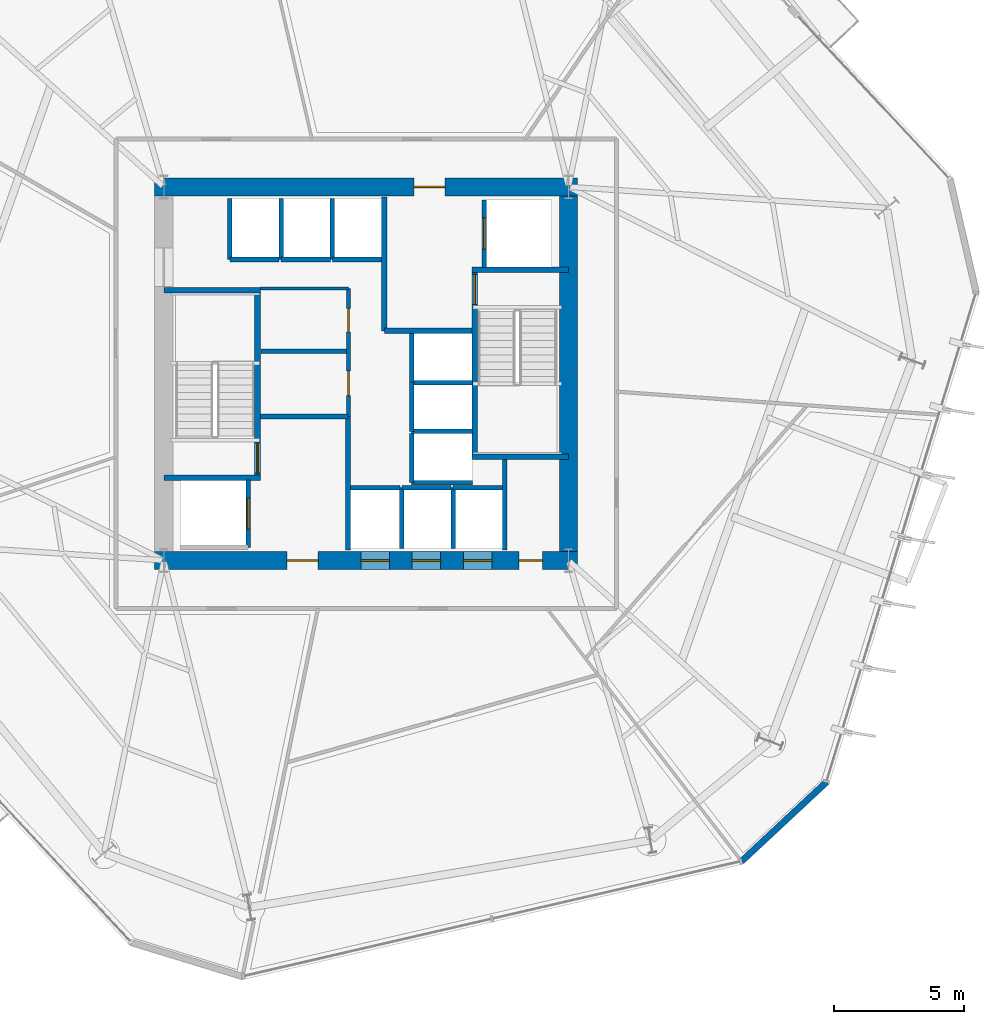
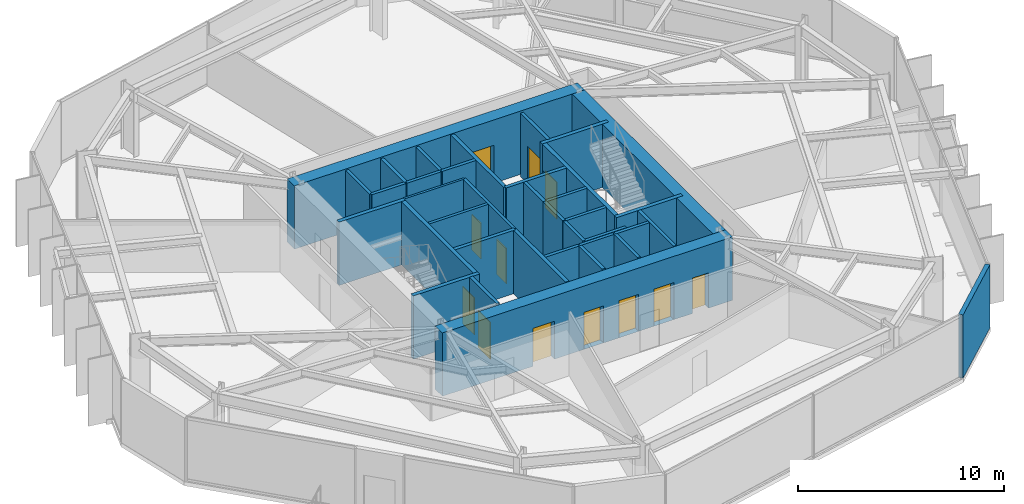
# One storey, part 6 of 10: 37 walls, 12 doors, 12 openings.
"""IFC4 building model written with IfcOpenShell, lengths in metres."""

from ifc_helpers import new_model, si_unit, direction, frame, frame_2d, origin, place, context, subcontext, project, spatial, rectangle, extrude, material, layer, layer_set, type_object, element, fill, save


model = new_model("IFC4")

# Units and contexts
model_context = context("Model", 3, precision=1e-05, world=origin(), true_north=direction((0.0, 1.0)))
body_context = subcontext(model_context, "Body", "Model", "MODEL_VIEW")
ifc_project = project(units=[si_unit("LENGTHUNIT", "METRE"), si_unit("AREAUNIT", "SQUARE_METRE"), si_unit("VOLUMEUNIT", "CUBIC_METRE"), si_unit("PLANEANGLEUNIT", "RADIAN"), si_unit("MASSUNIT", "GRAM", prefix="KILO")], contexts=[model_context])

# Site, building, storey
site_placement = place(None, origin())
site = spatial("IfcSite", under=ifc_project, at=site_placement, CompositionType="ELEMENT")
building_placement = place(site_placement, origin())
building = spatial("IfcBuilding", under=site, at=building_placement, Name="Kranzbogen Civic Tower", CompositionType="ELEMENT")
storey_placement = place(building_placement, frame((0.0, 0.0, 72.0)))
storey = spatial("IfcBuildingStorey", under=building, at=storey_placement, Name="L17", CompositionType="ELEMENT", Elevation=72.0)

# Wall
ifc_material_1 = material(Name="Insulated Metal-Stud Gypsum Partition")
ifc_layer_1 = layer(ifc_material_1, 0.125, Name="Insulated Metal-Stud Gypsum Partition")
ifc_layer_set_1 = layer_set([ifc_layer_1], Name="Insulated Metal-Stud Gypsum Partition")
wall_type_1 = type_object("IfcWallType", Name="Acoustic Inter-Room Partition 125 mm", PredefinedType="PARTITIONING", material=ifc_layer_set_1)
wall_1_placement = place(storey_placement, frame((20.919921875, 28.280029296875, 0.0), z_axis=(0.0, 0.0, 1.0), x_axis=(1.0, 0.0, 0.0)))
element("IfcWall", 1, at=wall_1_placement, inside=storey, type_object=wall_type_1, Name="L17 core auxiliary North wall", PredefinedType="PARTITIONING", context=body_context, shape_type="SweptSolid", body=[
    extrude(rectangle(XDim=3.405029296875, YDim=0.125, at=frame_2d((1.70263671875, 0.0))), origin(), (0.0, 0.0, 1.0), 3.760009765625),
])

# Wall, openings, doors
ifc_material_2 = material(Name="Concrete C55/67", Category="concrete")
ifc_layer_2 = layer(ifc_material_2, 0.699951171875, Name="Concrete C55/67")
ifc_layer_set_2 = layer_set([ifc_layer_2], Name="Concrete C55/67")
wall_type_2 = type_object("IfcWallType", Name="Central Core Shear Wall 700 mm", PredefinedType="SHEAR", material=ifc_layer_set_2)
wall_2_placement = place(storey_placement, frame((16.85009765625, 17.800048828125, 0.0), z_axis=(0.0, 0.0, 1.0), x_axis=(1.0, 0.0, 0.0)))
wall_2 = element("IfcWall", 2, at=wall_2_placement, inside=storey, type_object=wall_type_2, Name="L17 central core South shear wall", PredefinedType="SHEAR", context=body_context, shape_type="SweptSolid", body=[
    extrude(rectangle(XDim=16.2998046875, YDim=0.699951171875, at=frame_2d((8.14990234375, 0.0))), origin(), (0.0, 0.0, 1.0), 3.760009765625),
])
opening_1_placement = place(wall_2_placement, frame((5.10009765625, 0.0, 0.0)))
opening_1 = element("IfcOpeningElement", 3, at=opening_1_placement, cuts=wall_2, Name="Opening D-EX120", PredefinedType="OPENING", context=body_context, shape_type="SweptSolid", body=[
    extrude(rectangle(XDim=1.199951171875, YDim=2.25, at=frame_2d((0.60009765625, 1.125))), frame((0.0, 0.35986328125, 0.0), z_axis=(0.0, -1.0, 0.0), x_axis=(1.0, 0.0, 0.0)), (0.0, 0.0, 1.0), 0.719970703125),
])
opening_2_placement = place(wall_2_placement, frame((14.050048828125, 0.0, 0.0)))
opening_2 = element("IfcOpeningElement", 4, at=opening_2_placement, cuts=wall_2, Name="Opening D-WC90", PredefinedType="OPENING", context=body_context, shape_type="SweptSolid", body=[
    extrude(rectangle(XDim=0.89990234375, YDim=2.10009765625, at=frame_2d((0.449951171875, 1.050048828125))), frame((0.0, 0.35986328125, 0.0), z_axis=(0.0, -1.0, 0.0), x_axis=(1.0, 0.0, 0.0)), (0.0, 0.0, 1.0), 0.719970703125),
])
opening_3_placement = place(wall_2_placement, frame((7.949951171875, 0.0, 0.0)))
opening_3 = element("IfcOpeningElement", 5, at=opening_3_placement, cuts=wall_2, Name="Opening LD-LP-01", PredefinedType="OPENING", context=body_context, shape_type="SweptSolid", body=[
    extrude(rectangle(XDim=1.10009765625, YDim=2.199951171875, at=frame_2d((0.550048828125, 1.10009765625))), frame((0.0, 0.35986328125, 0.0), z_axis=(0.0, -1.0, 0.0), x_axis=(1.0, 0.0, 0.0)), (0.0, 0.0, 1.0), 0.719970703125),
])
opening_4_placement = place(wall_2_placement, frame((9.925048828125, 0.0, 0.0)))
opening_4 = element("IfcOpeningElement", 6, at=opening_4_placement, cuts=wall_2, Name="Opening LD-LP-02", PredefinedType="OPENING", context=body_context, shape_type="SweptSolid", body=[
    extrude(rectangle(XDim=1.10009765625, YDim=2.199951171875, at=frame_2d((0.550048828125, 1.10009765625))), frame((0.0, 0.35986328125, 0.0), z_axis=(0.0, -1.0, 0.0), x_axis=(1.0, 0.0, 0.0)), (0.0, 0.0, 1.0), 0.719970703125),
])
opening_5_placement = place(wall_2_placement, frame((11.89990234375, 0.0, 0.0)))
opening_5 = element("IfcOpeningElement", 7, at=opening_5_placement, cuts=wall_2, Name="Opening LD-LP-03", PredefinedType="OPENING", context=body_context, shape_type="SweptSolid", body=[
    extrude(rectangle(XDim=1.10009765625, YDim=2.199951171875, at=frame_2d((0.550048828125, 1.10009765625))), frame((0.0, 0.35986328125, 0.0), z_axis=(0.0, -1.0, 0.0), x_axis=(1.0, 0.0, 0.0)), (0.0, 0.0, 1.0), 0.719970703125),
])
ifc_material_3 = material(Name="Steel S355", Category="steel")
door_type_1 = type_object("IfcDoorType", Name="Exit Passageway Fire Door 1200x2250", OperationType="NOTDEFINED", PredefinedType="DOOR", material=ifc_material_3)
door_1_placement = place(opening_1_placement, origin())
door_1 = element("IfcDoor", 8, at=door_1_placement, inside=storey, type_object=door_type_1, Name="L17 West firefighting lobby corridor door", OperationType="SINGLE_SWING_RIGHT", OverallHeight=2.25, OverallWidth=1.199951171875, PredefinedType="DOOR", context=body_context, shape_type="SweptSolid", body=[
    extrude(rectangle(XDim=1.199951171875, YDim=2.25, at=frame_2d((0.60009765625, 1.125))), frame((0.0, 0.02490234375, 0.0), z_axis=(0.0, -1.0, 0.0), x_axis=(1.0, 0.0, 0.0)), (0.0, 0.0, 1.0), 0.050048828125),
])
fill(opening_1, door_1)
ifc_material_4 = material(Name="Pale Anodised Aluminium", Category="aluminium")
door_type_2 = type_object("IfcDoorType", Name="Passenger Lift Sliding Landing Door 1100x2200", OperationType="DOUBLE_DOOR_SLIDING", PredefinedType="DOOR", material=ifc_material_4)
door_2_placement = place(opening_3_placement, origin())
door_2 = element("IfcDoor", 9, at=door_2_placement, inside=storey, type_object=door_type_2, Name="L17 lift LP-01 sliding landing door", OperationType="DOUBLE_DOOR_SLIDING", OverallHeight=2.199951171875, OverallWidth=1.10009765625, PredefinedType="DOOR", context=body_context, shape_type="SweptSolid", body=[
    extrude(rectangle(XDim=1.10009765625, YDim=2.199951171875, at=frame_2d((0.550048828125, 1.10009765625))), frame((0.0, 0.02490234375, 0.0), z_axis=(0.0, -1.0, 0.0), x_axis=(1.0, 0.0, 0.0)), (0.0, 0.0, 1.0), 0.050048828125),
])
fill(opening_3, door_2)
door_3_placement = place(opening_4_placement, origin())
door_3 = element("IfcDoor", 10, at=door_3_placement, inside=storey, type_object=door_type_2, Name="L17 lift LP-02 sliding landing door", OperationType="DOUBLE_DOOR_SLIDING", OverallHeight=2.199951171875, OverallWidth=1.10009765625, PredefinedType="DOOR", context=body_context, shape_type="SweptSolid", body=[
    extrude(rectangle(XDim=1.10009765625, YDim=2.199951171875, at=frame_2d((0.550048828125, 1.10009765625))), frame((0.0, 0.02490234375, 0.0), z_axis=(0.0, -1.0, 0.0), x_axis=(1.0, 0.0, 0.0)), (0.0, 0.0, 1.0), 0.050048828125),
])
fill(opening_4, door_3)
door_4_placement = place(opening_5_placement, origin())
door_4 = element("IfcDoor", 11, at=door_4_placement, inside=storey, type_object=door_type_2, Name="L17 lift LP-03 sliding landing door", OperationType="DOUBLE_DOOR_SLIDING", OverallHeight=2.199951171875, OverallWidth=1.10009765625, PredefinedType="DOOR", context=body_context, shape_type="SweptSolid", body=[
    extrude(rectangle(XDim=1.10009765625, YDim=2.199951171875, at=frame_2d((0.550048828125, 1.10009765625))), frame((0.0, 0.02490234375, 0.0), z_axis=(0.0, -1.0, 0.0), x_axis=(1.0, 0.0, 0.0)), (0.0, 0.0, 1.0), 0.050048828125),
])
fill(opening_5, door_4)
ifc_material_5 = material(Name="Moisture-Resistant Laminate")
door_type_3 = type_object("IfcDoorType", Name="Standard Restroom and Store Door 900x2100", OperationType="NOTDEFINED", PredefinedType="DOOR", material=ifc_material_5)
door_5_placement = place(opening_2_placement, origin())
door_5 = element("IfcDoor", 12, at=door_5_placement, inside=storey, type_object=door_type_3, Name="L17 East electrical riser access door", OperationType="SINGLE_SWING_RIGHT", OverallHeight=2.10009765625, OverallWidth=0.89990234375, PredefinedType="DOOR", context=body_context, shape_type="SweptSolid", body=[
    extrude(rectangle(XDim=0.89990234375, YDim=2.10009765625, at=frame_2d((0.449951171875, 1.050048828125))), frame((0.0, 0.02490234375, 0.0), z_axis=(0.0, -1.0, 0.0), x_axis=(1.0, 0.0, 0.0)), (0.0, 0.0, 1.0), 0.050048828125),
])
fill(opening_2, door_5)

# Wall, opening, door
wall_3_placement = place(storey_placement, frame((33.14990234375, 32.199951171875, 0.0), z_axis=(0.0, 0.0, 1.0), x_axis=(-1.0, 0.0, 0.0)))
wall_3 = element("IfcWall", 13, at=wall_3_placement, inside=storey, type_object=wall_type_2, Name="L17 central core North shear wall", PredefinedType="SHEAR", context=body_context, shape_type="SweptSolid", body=[
    extrude(rectangle(XDim=16.2998046875, YDim=0.699951171875, at=frame_2d((8.14990234375, 0.0))), origin(), (0.0, 0.0, 1.0), 3.760009765625),
])
opening_6_placement = place(wall_3_placement, frame((5.10009765625, 0.0, 0.0)))
opening_6 = element("IfcOpeningElement", 14, at=opening_6_placement, cuts=wall_3, Name="Opening D-EX120", PredefinedType="OPENING", context=body_context, shape_type="SweptSolid", body=[
    extrude(rectangle(XDim=1.199951171875, YDim=2.25, at=frame_2d((0.60009765625, 1.125))), frame((0.0, 0.35986328125, 0.0), z_axis=(0.0, -1.0, 0.0), x_axis=(1.0, 0.0, 0.0)), (0.0, 0.0, 1.0), 0.719970703125),
])
door_6_placement = place(opening_6_placement, origin())
door_6 = element("IfcDoor", 15, at=door_6_placement, inside=storey, type_object=door_type_1, Name="L17 East firefighting lobby corridor door", OperationType="SINGLE_SWING_LEFT", OverallHeight=2.25, OverallWidth=1.199951171875, PredefinedType="DOOR", context=body_context, shape_type="SweptSolid", body=[
    extrude(rectangle(XDim=1.199951171875, YDim=2.25, at=frame_2d((0.60009765625, 1.125))), frame((0.0, 0.02490234375, 0.0), z_axis=(0.0, -1.0, 0.0), x_axis=(1.0, 0.0, 0.0)), (0.0, 0.0, 1.0), 0.050048828125),
])
fill(opening_6, door_6)

# Wall
wall_4_placement = place(storey_placement, frame((32.800048828125, 18.14990234375, 0.0), z_axis=(0.0, 0.0, 1.0), x_axis=(0.0, 1.0, 0.0)))
element("IfcWall", 16, at=wall_4_placement, inside=storey, type_object=wall_type_2, Name="L17 central core East shear wall", PredefinedType="SHEAR", context=body_context, shape_type="SweptSolid", body=[
    extrude(rectangle(XDim=13.7001953125, YDim=0.699951171875, at=frame_2d((6.85009765625, 0.0))), origin(), (0.0, 0.0, 1.0), 3.760009765625),
])

# Wall, opening, door
ifc_material_6 = material(Name="Concrete C45/55", Category="concrete")
ifc_layer_3 = layer(ifc_material_6, 0.219970703125, Name="Concrete C45/55")
ifc_layer_set_3 = layer_set([ifc_layer_3], Name="Concrete C45/55")
wall_type_3 = type_object("IfcWallType", Name="Core Internal Stair Structural Wall 220 mm", PredefinedType="SOLIDWALL", material=ifc_layer_set_3)
wall_5_placement = place(storey_placement, frame((20.81005859375, 20.989990234375, 0.0), z_axis=(0.0, 0.0, 1.0), x_axis=(0.0, 1.0, 0.0)))
wall_5 = element("IfcWall", 17, at=wall_5_placement, inside=storey, type_object=wall_type_3, Name="L17 ST-T1 East structural stair wall", PredefinedType="SOLIDWALL", context=body_context, shape_type="SweptSolid", body=[
    extrude(rectangle(XDim=7.219970703125, YDim=0.219970703125, at=frame_2d((3.60986328125, 0.0))), origin(), (0.0, 0.0, 1.0), 3.760009765625),
])
opening_7_placement = place(wall_5_placement, frame((0.179931640625, 0.0, 0.0)))
opening_7 = element("IfcOpeningElement", 18, at=opening_7_placement, cuts=wall_5, Name="Opening D-ST90", PredefinedType="OPENING", context=body_context, shape_type="SweptSolid", body=[
    extrude(rectangle(XDim=1.14990234375, YDim=2.199951171875, at=frame_2d((0.574951171875, 1.10009765625))), frame((0.0, 0.1201171875, 0.0), z_axis=(0.0, -1.0, 0.0), x_axis=(1.0, 0.0, 0.0)), (0.0, 0.0, 1.0), 0.239990234375),
])
door_type_4 = type_object("IfcDoorType", Name="Pressurized Stair and Lobby Fire Door 1150x2200", OperationType="NOTDEFINED", PredefinedType="DOOR", material=ifc_material_3)
door_7_placement = place(opening_7_placement, origin())
door_7 = element("IfcDoor", 19, at=door_7_placement, inside=storey, type_object=door_type_4, Name="L17 Stair ST-T1 fire door", OperationType="SINGLE_SWING_RIGHT", OverallHeight=2.199951171875, OverallWidth=1.14990234375, PredefinedType="DOOR", context=body_context, shape_type="SweptSolid", body=[
    extrude(rectangle(XDim=1.14990234375, YDim=2.199951171875, at=frame_2d((0.574951171875, 1.10009765625))), frame((0.0, 0.02490234375, 0.0), z_axis=(0.0, -1.0, 0.0), x_axis=(1.0, 0.0, 0.0)), (0.0, 0.0, 1.0), 0.050048828125),
])
fill(opening_7, door_7)

# Walls
for number, where, z_axis, x_axis, name in (
    (20, (17.199951171875, 20.989990234375, 0.0), (0.0, 0.0, 1.0), (1.0, 0.0, 0.0), "L17 ST-T1 South structural stair wall"),
    (21, (17.199951171875, 28.2099609375, 0.0), (0.0, 0.0, 1.0), (1.0, 0.0, 0.0), "L17 ST-T1 North structural stair wall"),
):
    element("IfcWall", number, at=place(storey_placement, frame(where, z_axis=z_axis, x_axis=x_axis)), inside=storey, type_object=wall_type_3, Name=name, PredefinedType="SOLIDWALL", context=body_context, shape_type="SweptSolid", body=[
        extrude(rectangle(XDim=3.719970703125, YDim=0.219970703125, at=frame_2d((1.85986328125, 0.0))), origin(), (0.0, 0.0, 1.0), 3.760009765625),
    ])

# Wall, opening, door
wall_6_placement = place(storey_placement, frame((29.18994140625, 21.7900390625, 0.0), z_axis=(0.0, 0.0, 1.0), x_axis=(0.0, 1.0, 0.0)))
wall_6 = element("IfcWall", 22, at=wall_6_placement, inside=storey, type_object=wall_type_3, Name="L17 ST-T2 West structural stair wall", PredefinedType="SOLIDWALL", context=body_context, shape_type="SweptSolid", body=[
    extrude(rectangle(XDim=7.219970703125, YDim=0.219970703125, at=frame_2d((3.60986328125, 0.0))), origin(), (0.0, 0.0, 1.0), 3.760009765625),
])
opening_8_placement = place(wall_6_placement, frame((5.8798828125, 0.0, 0.0)))
opening_8 = element("IfcOpeningElement", 23, at=opening_8_placement, cuts=wall_6, Name="Opening D-ST90", PredefinedType="OPENING", context=body_context, shape_type="SweptSolid", body=[
    extrude(rectangle(XDim=1.14990234375, YDim=2.199951171875, at=frame_2d((0.574951171875, 1.10009765625))), frame((0.0, 0.1201171875, 0.0), z_axis=(0.0, -1.0, 0.0), x_axis=(1.0, 0.0, 0.0)), (0.0, 0.0, 1.0), 0.239990234375),
])
door_8_placement = place(opening_8_placement, origin())
door_8 = element("IfcDoor", 24, at=door_8_placement, inside=storey, type_object=door_type_4, Name="L17 Stair ST-T2 fire door", OperationType="SINGLE_SWING_LEFT", OverallHeight=2.199951171875, OverallWidth=1.14990234375, PredefinedType="DOOR", context=body_context, shape_type="SweptSolid", body=[
    extrude(rectangle(XDim=1.14990234375, YDim=2.199951171875, at=frame_2d((0.574951171875, 1.10009765625))), frame((0.0, 0.02490234375, 0.0), z_axis=(0.0, -1.0, 0.0), x_axis=(1.0, 0.0, 0.0)), (0.0, 0.0, 1.0), 0.050048828125),
])
fill(opening_8, door_8)

# Walls
for number, where, z_axis, x_axis, name in (
    (25, (29.080078125, 21.7900390625, 0.0), (0.0, 0.0, 1.0), (1.0, 0.0, 0.0), "L17 ST-T2 South structural stair wall"),
    (26, (29.080078125, 29.010009765625, 0.0), (0.0, 0.0, 1.0), (1.0, 0.0, 0.0), "L17 ST-T2 North structural stair wall"),
):
    element("IfcWall", number, at=place(storey_placement, frame(where, z_axis=z_axis, x_axis=x_axis)), inside=storey, type_object=wall_type_3, Name=name, PredefinedType="SOLIDWALL", context=body_context, shape_type="SweptSolid", body=[
        extrude(rectangle(XDim=3.719970703125, YDim=0.219970703125, at=frame_2d((1.85986328125, 0.0))), origin(), (0.0, 0.0, 1.0), 3.760009765625),
    ])
ifc_material_7 = material(Name="Gypsum Fireboard and Concrete Block", Category="concrete")
ifc_layer_4 = layer(ifc_material_7, 0.199951171875, Name="Gypsum Fireboard and Concrete Block")
ifc_layer_set_4 = layer_set([ifc_layer_4], Name="Gypsum Fireboard and Concrete Block")
wall_type_4 = type_object("IfcWallType", Name="Fire-Rated Exit Passageway and Stair Wall 200 mm", PredefinedType="PARTITIONING", material=ifc_layer_set_4)
wall_7_placement = place(storey_placement, frame((24.300048828125, 18.199951171875, 0.0), z_axis=(0.0, 0.0, 1.0), x_axis=(0.0, 1.0, 0.0)))
element("IfcWall", 27, at=wall_7_placement, inside=storey, type_object=wall_type_4, Name="L17 West firefighting lobby East wall", PredefinedType="PARTITIONING", context=body_context, shape_type="SweptSolid", body=[
    extrude(rectangle(XDim=5.150146484375, YDim=0.199951171875, at=frame_2d((2.5751953125, 0.0))), origin(), (0.0, 0.0, 1.0), 3.760009765625),
])
wall_8_placement = place(storey_placement, frame((20.919921875, 23.35009765625, 0.0), z_axis=(0.0, 0.0, 1.0), x_axis=(1.0, 0.0, 0.0)))
element("IfcWall", 28, at=wall_8_placement, inside=storey, type_object=wall_type_4, Name="L17 West firefighting lobby North wall", PredefinedType="PARTITIONING", context=body_context, shape_type="SweptSolid", body=[
    extrude(rectangle(XDim=3.380126953125, YDim=0.199951171875, at=frame_2d((1.68994140625, 0.0))), origin(), (0.0, 0.0, 1.0), 3.760009765625),
])
wall_9_placement = place(storey_placement, frame((25.699951171875, 26.64990234375, 0.0), z_axis=(0.0, 0.0, 1.0), x_axis=(0.0, 1.0, 0.0)))
element("IfcWall", 29, at=wall_9_placement, inside=storey, type_object=wall_type_4, Name="L17 East firefighting lobby West wall", PredefinedType="PARTITIONING", context=body_context, shape_type="SweptSolid", body=[
    extrude(rectangle(XDim=5.150146484375, YDim=0.199951171875, at=frame_2d((2.5751953125, 0.0))), origin(), (0.0, 0.0, 1.0), 3.760009765625),
])
wall_10_placement = place(storey_placement, frame((25.699951171875, 26.64990234375, 0.0), z_axis=(0.0, 0.0, 1.0), x_axis=(1.0, 0.0, 0.0)))
element("IfcWall", 30, at=wall_10_placement, inside=storey, type_object=wall_type_4, Name="L17 East firefighting lobby South wall", PredefinedType="PARTITIONING", context=body_context, shape_type="SweptSolid", body=[
    extrude(rectangle(XDim=3.380126953125, YDim=0.199951171875, at=frame_2d((1.68994140625, 0.0))), origin(), (0.0, 0.0, 1.0), 3.760009765625),
])
ifc_material_8 = material(Name="Gypsum Fireboard Shaftliner")
ifc_layer_5 = layer(ifc_material_8, 0.175048828125, Name="Gypsum Fireboard Shaftliner")
ifc_layer_set_5 = layer_set([ifc_layer_5], Name="Gypsum Fireboard Shaftliner")
wall_type_5 = type_object("IfcWallType", Name="Fire-Rated Lift and Service Shaft Wall 175 mm", PredefinedType="PARTITIONING", material=ifc_layer_set_5)
wall_11_placement = place(storey_placement, frame((30.35009765625, 18.199951171875, 0.0), z_axis=(0.0, 0.0, 1.0), x_axis=(0.0, 1.0, 0.0)))
element("IfcWall", 31, at=wall_11_placement, inside=storey, type_object=wall_type_5, Name="L17 East core riser West wall", PredefinedType="PARTITIONING", context=body_context, shape_type="SweptSolid", body=[
    extrude(rectangle(XDim=3.47998046875, YDim=0.175048828125, at=frame_2d((1.739990234375, 0.0))), origin(), (0.0, 0.0, 1.0), 3.760009765625),
])
wall_12_placement = place(storey_placement, frame((24.39990234375, 20.60009765625, 0.0), z_axis=(0.0, 0.0, 1.0), x_axis=(1.0, 0.0, 0.0)))
element("IfcWall", 32, at=wall_12_placement, inside=storey, type_object=wall_type_5, Name="L17 lift LP-01 rear wall", PredefinedType="PARTITIONING", context=body_context, shape_type="SweptSolid", body=[
    extrude(rectangle(XDim=1.900146484375, YDim=0.175048828125, at=frame_2d((0.9501953125, 0.0))), origin(), (0.0, 0.0, 1.0), 3.760009765625),
])
wall_13_placement = place(storey_placement, frame((26.375, 20.60009765625, 0.0), z_axis=(0.0, 0.0, 1.0), x_axis=(1.0, 0.0, 0.0)))
element("IfcWall", 33, at=wall_13_placement, inside=storey, type_object=wall_type_5, Name="L17 lift LP-02 rear wall", PredefinedType="PARTITIONING", context=body_context, shape_type="SweptSolid", body=[
    extrude(rectangle(XDim=1.89990234375, YDim=0.175048828125, at=frame_2d((0.949951171875, 0.0))), origin(), (0.0, 0.0, 1.0), 3.760009765625),
])
wall_14_placement = place(storey_placement, frame((26.375, 18.25, 0.0), z_axis=(0.0, 0.0, 1.0), x_axis=(0.0, 1.0, 0.0)))
element("IfcWall", 34, at=wall_14_placement, inside=storey, type_object=wall_type_5, Name="L17 lift LP-02 side wall", PredefinedType="PARTITIONING", context=body_context, shape_type="SweptSolid", body=[
    extrude(rectangle(XDim=2.35009765625, YDim=0.175048828125, at=frame_2d((1.175048828125, 0.0))), origin(), (0.0, 0.0, 1.0), 3.760009765625),
])
wall_15_placement = place(storey_placement, frame((28.35009765625, 20.60009765625, 0.0), z_axis=(0.0, 0.0, 1.0), x_axis=(1.0, 0.0, 0.0)))
element("IfcWall", 35, at=wall_15_placement, inside=storey, type_object=wall_type_5, Name="L17 lift LP-03 rear wall", PredefinedType="PARTITIONING", context=body_context, shape_type="SweptSolid", body=[
    extrude(rectangle(XDim=1.89990234375, YDim=0.175048828125, at=frame_2d((0.949951171875, 0.0))), origin(), (0.0, 0.0, 1.0), 3.760009765625),
])
wall_16_placement = place(storey_placement, frame((28.35009765625, 18.25, 0.0), z_axis=(0.0, 0.0, 1.0), x_axis=(0.0, 1.0, 0.0)))
element("IfcWall", 36, at=wall_16_placement, inside=storey, type_object=wall_type_5, Name="L17 lift LP-03 side wall", PredefinedType="PARTITIONING", context=body_context, shape_type="SweptSolid", body=[
    extrude(rectangle(XDim=2.35009765625, YDim=0.175048828125, at=frame_2d((1.175048828125, 0.0))), origin(), (0.0, 0.0, 1.0), 3.760009765625),
])
wall_17_placement = place(storey_placement, frame((19.75, 29.39990234375, 0.0), z_axis=(0.0, 0.0, 1.0), x_axis=(1.0, 0.0, 0.0)))
element("IfcWall", 37, at=wall_17_placement, inside=storey, type_object=wall_type_5, Name="L17 lift MP-01 rear wall", PredefinedType="PARTITIONING", context=body_context, shape_type="SweptSolid", body=[
    extrude(rectangle(XDim=1.89990234375, YDim=0.175048828125, at=frame_2d((0.949951171875, 0.0))), origin(), (0.0, 0.0, 1.0), 3.760009765625),
])
wall_18_placement = place(storey_placement, frame((19.75, 29.39990234375, 0.0), z_axis=(0.0, 0.0, 1.0), x_axis=(0.0, 1.0, 0.0)))
element("IfcWall", 38, at=wall_18_placement, inside=storey, type_object=wall_type_5, Name="L17 lift MP-01 side wall", PredefinedType="PARTITIONING", context=body_context, shape_type="SweptSolid", body=[
    extrude(rectangle(XDim=2.35009765625, YDim=0.175048828125, at=frame_2d((1.175048828125, 0.0))), origin(), (0.0, 0.0, 1.0), 3.760009765625),
])
wall_19_placement = place(storey_placement, frame((21.72509765625, 29.39990234375, 0.0), z_axis=(0.0, 0.0, 1.0), x_axis=(1.0, 0.0, 0.0)))
element("IfcWall", 39, at=wall_19_placement, inside=storey, type_object=wall_type_5, Name="L17 lift MP-02 rear wall", PredefinedType="PARTITIONING", context=body_context, shape_type="SweptSolid", body=[
    extrude(rectangle(XDim=1.89990234375, YDim=0.175048828125, at=frame_2d((0.949951171875, 0.0))), origin(), (0.0, 0.0, 1.0), 3.760009765625),
])
wall_20_placement = place(storey_placement, frame((21.72509765625, 29.39990234375, 0.0), z_axis=(0.0, 0.0, 1.0), x_axis=(0.0, 1.0, 0.0)))
element("IfcWall", 40, at=wall_20_placement, inside=storey, type_object=wall_type_5, Name="L17 lift MP-02 side wall", PredefinedType="PARTITIONING", context=body_context, shape_type="SweptSolid", body=[
    extrude(rectangle(XDim=2.35009765625, YDim=0.175048828125, at=frame_2d((1.175048828125, 0.0))), origin(), (0.0, 0.0, 1.0), 3.760009765625),
])
wall_21_placement = place(storey_placement, frame((23.699951171875, 29.39990234375, 0.0), z_axis=(0.0, 0.0, 1.0), x_axis=(1.0, 0.0, 0.0)))
element("IfcWall", 41, at=wall_21_placement, inside=storey, type_object=wall_type_5, Name="L17 lift MP-03 rear wall", PredefinedType="PARTITIONING", context=body_context, shape_type="SweptSolid", body=[
    extrude(rectangle(XDim=1.900146484375, YDim=0.175048828125, at=frame_2d((0.9501953125, 0.0))), origin(), (0.0, 0.0, 1.0), 3.760009765625),
])
wall_22_placement = place(storey_placement, frame((23.699951171875, 29.39990234375, 0.0), z_axis=(0.0, 0.0, 1.0), x_axis=(0.0, 1.0, 0.0)))
element("IfcWall", 42, at=wall_22_placement, inside=storey, type_object=wall_type_5, Name="L17 lift MP-03 side wall", PredefinedType="PARTITIONING", context=body_context, shape_type="SweptSolid", body=[
    extrude(rectangle(XDim=2.35009765625, YDim=0.175048828125, at=frame_2d((1.175048828125, 0.0))), origin(), (0.0, 0.0, 1.0), 3.760009765625),
])
wall_23_placement = place(storey_placement, frame((26.75, 20.800048828125, 0.0), z_axis=(0.0, 0.0, 1.0), x_axis=(0.0, 1.0, 0.0)))
element("IfcWall", 43, at=wall_23_placement, inside=storey, type_object=wall_type_5, Name="L17 lift HP-01 landing wall", PredefinedType="PARTITIONING", context=body_context, shape_type="SweptSolid", body=[
    extrude(rectangle(XDim=1.89990234375, YDim=0.175048828125, at=frame_2d((0.949951171875, 0.0))), origin(), (0.0, 0.0, 1.0), 3.760009765625),
])
wall_24_placement = place(storey_placement, frame((26.75, 20.800048828125, 0.0), z_axis=(0.0, 0.0, 1.0), x_axis=(1.0, 0.0, 0.0)))
element("IfcWall", 44, at=wall_24_placement, inside=storey, type_object=wall_type_5, Name="L17 lift HP-01 side wall", PredefinedType="PARTITIONING", context=body_context, shape_type="SweptSolid", body=[
    extrude(rectangle(XDim=2.35009765625, YDim=0.175048828125, at=frame_2d((1.175048828125, 0.0))), origin(), (0.0, 0.0, 1.0), 3.760009765625),
])
wall_25_placement = place(storey_placement, frame((26.75, 22.77490234375, 0.0), z_axis=(0.0, 0.0, 1.0), x_axis=(0.0, 1.0, 0.0)))
element("IfcWall", 45, at=wall_25_placement, inside=storey, type_object=wall_type_5, Name="L17 lift HP-02 landing wall", PredefinedType="PARTITIONING", context=body_context, shape_type="SweptSolid", body=[
    extrude(rectangle(XDim=1.900146484375, YDim=0.175048828125, at=frame_2d((0.9501953125, 0.0))), origin(), (0.0, 0.0, 1.0), 3.760009765625),
])
wall_26_placement = place(storey_placement, frame((26.75, 22.77490234375, 0.0), z_axis=(0.0, 0.0, 1.0), x_axis=(1.0, 0.0, 0.0)))
element("IfcWall", 46, at=wall_26_placement, inside=storey, type_object=wall_type_5, Name="L17 lift HP-02 side wall", PredefinedType="PARTITIONING", context=body_context, shape_type="SweptSolid", body=[
    extrude(rectangle(XDim=2.35009765625, YDim=0.175048828125, at=frame_2d((1.175048828125, 0.0))), origin(), (0.0, 0.0, 1.0), 3.760009765625),
])
wall_27_placement = place(storey_placement, frame((26.75, 24.64990234375, 0.0), z_axis=(0.0, 0.0, 1.0), x_axis=(0.0, 1.0, 0.0)))
element("IfcWall", 47, at=wall_27_placement, inside=storey, type_object=wall_type_5, Name="L17 lift HP-03 landing wall", PredefinedType="PARTITIONING", context=body_context, shape_type="SweptSolid", body=[
    extrude(rectangle(XDim=1.900146484375, YDim=0.175048828125, at=frame_2d((0.9501953125, 0.0))), origin(), (0.0, 0.0, 1.0), 3.760009765625),
])
wall_28_placement = place(storey_placement, frame((26.75, 24.64990234375, 0.0), z_axis=(0.0, 0.0, 1.0), x_axis=(1.0, 0.0, 0.0)))
element("IfcWall", 48, at=wall_28_placement, inside=storey, type_object=wall_type_5, Name="L17 lift HP-03 side wall", PredefinedType="PARTITIONING", context=body_context, shape_type="SweptSolid", body=[
    extrude(rectangle(XDim=2.35009765625, YDim=0.175048828125, at=frame_2d((1.175048828125, 0.0))), origin(), (0.0, 0.0, 1.0), 3.760009765625),
])

# Wall, opening, door
wall_29_placement = place(storey_placement, frame((20.449951171875, 18.300048828125, 0.0), z_axis=(0.0, 0.0, 1.0), x_axis=(0.0, 1.0, 0.0)))
wall_29 = element("IfcWall", 49, at=wall_29_placement, inside=storey, type_object=wall_type_5, Name="L17 lift FF-01 landing wall", PredefinedType="PARTITIONING", context=body_context, shape_type="SweptSolid", body=[
    extrude(rectangle(XDim=2.599853515625, YDim=0.175048828125, at=frame_2d((1.2998046875, 0.0))), origin(), (0.0, 0.0, 1.0), 3.760009765625),
])
opening_9_placement = place(wall_29_placement, frame((0.699951171875, 0.0, 0.0)))
opening_9 = element("IfcOpeningElement", 50, at=opening_9_placement, cuts=wall_29, Name="Opening LD-FF-01", PredefinedType="OPENING", context=body_context, shape_type="SweptSolid", body=[
    extrude(rectangle(XDim=1.199951171875, YDim=2.199951171875, at=frame_2d((0.60009765625, 1.10009765625))), frame((0.0, 0.09765625, 0.0), z_axis=(0.0, -1.0, 0.0), x_axis=(1.0, 0.0, 0.0)), (0.0, 0.0, 1.0), 0.195068359375),
])
door_type_5 = type_object("IfcDoorType", Name="Firefighting and Stretcher Lift Sliding Landing Door 1200x2200", OperationType="DOUBLE_DOOR_SLIDING", PredefinedType="DOOR", material=ifc_material_4)
door_9_placement = place(opening_9_placement, origin())
door_9 = element("IfcDoor", 51, at=door_9_placement, inside=storey, type_object=door_type_5, Name="L17 lift FF-01 sliding landing door", OperationType="DOUBLE_DOOR_SLIDING", OverallHeight=2.199951171875, OverallWidth=1.199951171875, PredefinedType="DOOR", context=body_context, shape_type="SweptSolid", body=[
    extrude(rectangle(XDim=1.199951171875, YDim=2.199951171875, at=frame_2d((0.60009765625, 1.10009765625))), frame((0.0, 0.02490234375, 0.0), z_axis=(0.0, -1.0, 0.0), x_axis=(1.0, 0.0, 0.0)), (0.0, 0.0, 1.0), 0.050048828125),
])
fill(opening_9, door_9)

wall_30_placement = place(storey_placement, frame((29.550048828125, 29.10009765625, 0.0), z_axis=(0.0, 0.0, 1.0), x_axis=(0.0, 1.0, 0.0)))
wall_30 = element("IfcWall", 52, at=wall_30_placement, inside=storey, type_object=wall_type_5, Name="L17 lift FF-02 landing wall", PredefinedType="PARTITIONING", context=body_context, shape_type="SweptSolid", body=[
    extrude(rectangle(XDim=2.599853515625, YDim=0.175048828125, at=frame_2d((1.2998046875, 0.0))), origin(), (0.0, 0.0, 1.0), 3.760009765625),
])
opening_10_placement = place(wall_30_placement, frame((0.699951171875, 0.0, 0.0)))
opening_10 = element("IfcOpeningElement", 53, at=opening_10_placement, cuts=wall_30, Name="Opening LD-FF-02", PredefinedType="OPENING", context=body_context, shape_type="SweptSolid", body=[
    extrude(rectangle(XDim=1.199951171875, YDim=2.199951171875, at=frame_2d((0.60009765625, 1.10009765625))), frame((0.0, 0.09765625, 0.0), z_axis=(0.0, -1.0, 0.0), x_axis=(1.0, 0.0, 0.0)), (0.0, 0.0, 1.0), 0.195068359375),
])
door_10_placement = place(opening_10_placement, origin())
door_10 = element("IfcDoor", 54, at=door_10_placement, inside=storey, type_object=door_type_5, Name="L17 lift FF-02 sliding landing door", OperationType="DOUBLE_DOOR_SLIDING", OverallHeight=2.199951171875, OverallWidth=1.199951171875, PredefinedType="DOOR", context=body_context, shape_type="SweptSolid", body=[
    extrude(rectangle(XDim=1.199951171875, YDim=2.199951171875, at=frame_2d((0.60009765625, 1.10009765625))), frame((0.0, 0.02490234375, 0.0), z_axis=(0.0, -1.0, 0.0), x_axis=(1.0, 0.0, 0.0)), (0.0, 0.0, 1.0), 0.050048828125),
])
fill(opening_10, door_10)

# Wall
ifc_layer_6 = layer(ifc_material_4, 0.239990234375, Name="Pale Anodised Aluminium")
ifc_layer_set_6 = layer_set([ifc_layer_6], Name="Pale Anodised Aluminium")
wall_type_6 = type_object("IfcWallType", Name="Insulated Aluminium Facade Portal Wall 240 mm", PredefinedType="STANDARD", material=ifc_layer_set_6)
wall_31_placement = place(storey_placement, frame((39.471923828125, 6.200927734375, 0.0), z_axis=(0.0, 0.0, 1.0), x_axis=(0.731267590606, 0.682090691133, 0.0)))
element("IfcWall", 55, at=wall_31_placement, inside=storey, type_object=wall_type_6, Name="L17 chamfered corner facade spandrel 5", PredefinedType="STANDARD", context=body_context, shape_type="SweptSolid", body=[
    extrude(rectangle(XDim=4.47314453125, YDim=0.239990234375, at=frame_2d((2.236572265625, 0.0))), origin(), (0.0, 0.0, 1.0), 3.760009765625),
])

# Wall, openings, doors
ifc_material_9 = material(Name="Moisture-Resistant Gypsum Assembly")
ifc_layer_7 = layer(ifc_material_9, 0.159912109375, Name="Moisture-Resistant Gypsum Assembly")
ifc_layer_set_7 = layer_set([ifc_layer_7], Name="Moisture-Resistant Gypsum Assembly")
wall_type_7 = type_object("IfcWallType", Name="Sanitary and Plumbing Wet Wall 160 mm", PredefinedType="PLUMBINGWALL", material=ifc_layer_set_7)
wall_32_placement = place(storey_placement, frame((24.324951171875, 23.35009765625, 0.0), z_axis=(0.0, 0.0, 1.0), x_axis=(0.0, 1.0, 0.0)))
wall_32 = element("IfcWall", 56, at=wall_32_placement, inside=storey, type_object=wall_type_7, Name="L17 core auxiliary East wall", PredefinedType="PLUMBINGWALL", context=body_context, shape_type="SweptSolid", body=[
    extrude(rectangle(XDim=4.929931640625, YDim=0.159912109375, at=frame_2d((2.46484375, 0.0))), origin(), (0.0, 0.0, 1.0), 3.760009765625),
])
opening_11_placement = place(wall_32_placement, frame((0.800048828125, 0.0, 0.0)))
opening_11 = element("IfcOpeningElement", 57, at=opening_11_placement, cuts=wall_32, Name="Opening D-AWC95", PredefinedType="OPENING", context=body_context, shape_type="SweptSolid", body=[
    extrude(rectangle(XDim=0.949951171875, YDim=2.10009765625, at=frame_2d((0.47509765625, 1.050048828125))), frame((0.0, 0.08984375, 0.0), z_axis=(0.0, -1.0, 0.0), x_axis=(1.0, 0.0, 0.0)), (0.0, 0.0, 1.0), 0.179931640625),
])
opening_12_placement = place(wall_32_placement, frame((3.260009765625, 0.0, 0.0)))
opening_12 = element("IfcOpeningElement", 58, at=opening_12_placement, cuts=wall_32, Name="Opening D-WC90", PredefinedType="OPENING", context=body_context, shape_type="SweptSolid", body=[
    extrude(rectangle(XDim=0.89990234375, YDim=2.10009765625, at=frame_2d((0.449951171875, 1.050048828125))), frame((0.0, 0.08984375, 0.0), z_axis=(0.0, -1.0, 0.0), x_axis=(1.0, 0.0, 0.0)), (0.0, 0.0, 1.0), 0.179931640625),
])
door_type_6 = type_object("IfcDoorType", Name="Accessible Restroom Door 950x2100", OperationType="NOTDEFINED", PredefinedType="DOOR", material=ifc_material_5)
door_11_placement = place(opening_11_placement, origin())
door_11 = element("IfcDoor", 59, at=door_11_placement, inside=storey, type_object=door_type_6, Name="L17 Accessible Restroom door", OperationType="SINGLE_SWING_RIGHT", OverallHeight=2.10009765625, OverallWidth=0.949951171875, PredefinedType="DOOR", context=body_context, shape_type="SweptSolid", body=[
    extrude(rectangle(XDim=0.949951171875, YDim=2.10009765625, at=frame_2d((0.47509765625, 1.050048828125))), frame((0.0, 0.02490234375, 0.0), z_axis=(0.0, -1.0, 0.0), x_axis=(1.0, 0.0, 0.0)), (0.0, 0.0, 1.0), 0.050048828125),
])
fill(opening_11, door_11)
door_12_placement = place(opening_12_placement, origin())
door_12 = element("IfcDoor", 60, at=door_12_placement, inside=storey, type_object=door_type_3, Name="L17 Staff Restroom door", OperationType="SINGLE_SWING_LEFT", OverallHeight=2.10009765625, OverallWidth=0.89990234375, PredefinedType="DOOR", context=body_context, shape_type="SweptSolid", body=[
    extrude(rectangle(XDim=0.89990234375, YDim=2.10009765625, at=frame_2d((0.449951171875, 1.050048828125))), frame((0.0, 0.02490234375, 0.0), z_axis=(0.0, -1.0, 0.0), x_axis=(1.0, 0.0, 0.0)), (0.0, 0.0, 1.0), 0.050048828125),
])
fill(opening_12, door_12)

# Wall
wall_33_placement = place(storey_placement, frame((20.949951171875, 25.860107421875, 0.0), z_axis=(0.0, 0.0, 1.0), x_axis=(1.0, 0.0, 0.0)))
element("IfcWall", 61, at=wall_33_placement, inside=storey, type_object=wall_type_7, Name="L17 core auxiliary partition 1", PredefinedType="PLUMBINGWALL", context=body_context, shape_type="SweptSolid", body=[
    extrude(rectangle(XDim=3.300048828125, YDim=0.159912109375, at=frame_2d((1.64990234375, 0.0))), origin(), (0.0, 0.0, 1.0), 3.760009765625),
])

save(model, "model.ifc")
